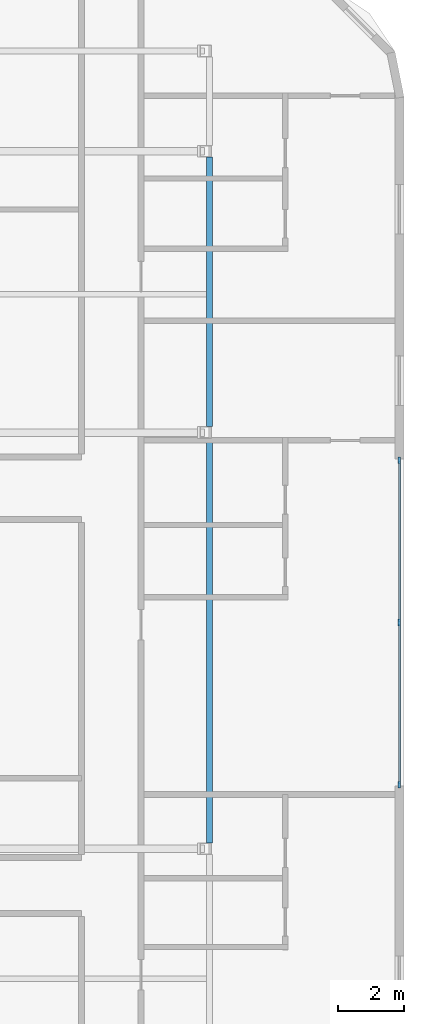
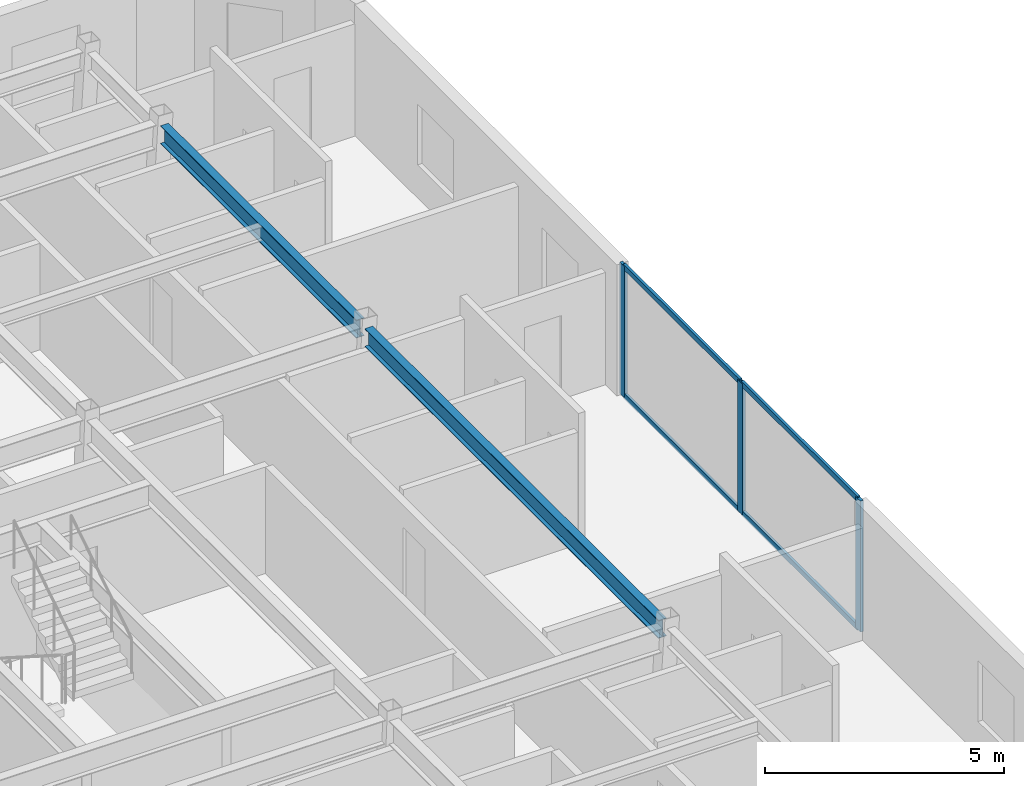
# One storey, part 2 of 9: 7 members, 2 beams, 1 element without a shape of its own.
"""IFC4 building model written with IfcOpenShell, lengths in metres."""

from ifc_helpers import new_model, si_unit, direction, frame, origin, origin_2d, place, context, subcontext, project, spatial, rectangle, i_section, extrude, material, layer, layer_set, material_profile, profile_set, type_object, element, aggregate, save


model = new_model("IFC4")

# Units and contexts
model_context = context("Model", 3, precision=1e-05, world=origin(), true_north=direction((0.0, 1.0)))
body_context = subcontext(model_context, "Body", "Model", "MODEL_VIEW")
ifc_project = project(units=[si_unit("LENGTHUNIT", "METRE"), si_unit("AREAUNIT", "SQUARE_METRE"), si_unit("VOLUMEUNIT", "CUBIC_METRE"), si_unit("PLANEANGLEUNIT", "RADIAN"), si_unit("MASSUNIT", "GRAM", prefix="KILO")], contexts=[model_context])

# Site, building, storey
site_placement = place(None, origin())
site = spatial("IfcSite", under=ifc_project, at=site_placement, CompositionType="ELEMENT")
building_placement = place(site_placement, origin())
building = spatial("IfcBuilding", under=site, at=building_placement, Name="Ochreholt Gables", CompositionType="ELEMENT")
storey_placement = place(building_placement, frame((0.0, 0.0, 169.800048828125)))
storey = spatial("IfcBuildingStorey", under=building, at=storey_placement, Name="L44", CompositionType="ELEMENT", Elevation=169.800048828125)

# Beams
ifc_material_1 = material(Name="Steel CSA G40.21 350W", Category="steel")
ifc_material_profile_1 = material_profile(ifc_material_1, i_section(OverallWidth=0.19189453125, OverallDepth=0.462890625, WebThickness=0.010498046875, FlangeThickness=0.017578125, at=origin_2d()), Name="W460X89")
ifc_profile_set_1 = profile_set([ifc_material_profile_1], Name="Steel CSA G40.21 350W")
beam_type = type_object("IfcBeamType", Name="BM-SP-W460A", PredefinedType="SPANDREL", material=ifc_profile_set_1)
beam_1_placement = place(storey_placement, frame((52.68505859375, 17.7275390625, 3.118408203125), z_axis=(0.0, 1.0, 0.0), x_axis=(-1.0, 0.0, 0.0)))
element("IfcBeam", 1, at=beam_1_placement, inside=storey, type_object=beam_type, Name="L44 Beam TBN-L44-EE-Y3Y4", PredefinedType="SPANDREL", context=body_context, shape_type="SweptSolid", body=[
    extrude(i_section(OverallWidth=0.19189453125, OverallDepth=0.462890625, WebThickness=0.010498046875, FlangeThickness=0.017578125, at=origin_2d()), origin(), (0.0, 0.0, 1.0), 12.294921875),
])
beam_2_placement = place(storey_placement, frame((52.68505859375, 30.377685546875, 3.118408203125), z_axis=(0.0, 1.0, 0.0), x_axis=(-1.0, 0.0, 0.0)))
element("IfcBeam", 2, at=beam_2_placement, inside=storey, type_object=beam_type, Name="L44 Beam TBN-L44-EE-Y4Y5", PredefinedType="SPANDREL", context=body_context, shape_type="SweptSolid", body=[
    extrude(i_section(OverallWidth=0.19189453125, OverallDepth=0.462890625, WebThickness=0.010498046875, FlangeThickness=0.017578125, at=origin_2d()), origin(), (0.0, 0.0, 1.0), 8.19482421875),
])

# Curtain wall, members
ifc_material_2 = material(Name="Unitised Aluminium and Triple Glazing", Category="aluminium")
ifc_layer = layer(ifc_material_2, 0.199951171875, Name="Unitised Aluminium and Triple Glazing")
ifc_layer_set = layer_set([ifc_layer], Name="Unitised Aluminium and Triple Glazing")
curtain_wall_type = type_object("IfcCurtainWallType", Name="CW-SYS4", PredefinedType="NOTDEFINED", material=ifc_layer_set)
curtain_wall_placement = place(storey_placement, origin())
curtain_wall = element("IfcCurtainWall", 3, at=curtain_wall_placement, inside=storey, type_object=curtain_wall_type, Name="L44 East Unitised Curtain Wall", PredefinedType="NOTDEFINED")
ifc_material_3 = material(Name="Anodized Aluminium 6063-T6", Category="aluminium")
ifc_material_profile_2 = material_profile(ifc_material_3, rectangle(XDim=0.074951171875, YDim=0.199951171875, at=origin_2d()), Name="CWM75X200")
ifc_profile_set_2 = profile_set([ifc_material_profile_2], Name="Anodized Aluminium 6063-T6")
member_type_1 = type_object("IfcMemberType", Name="CW-MUL-A", PredefinedType="MULLION", material=ifc_profile_set_2)
member_1_placement = place(storey_placement, frame((58.4599609375, 19.487548828125, 0.0), z_axis=(0.0, 0.0, 1.0), x_axis=(-1.0, 0.0, 0.0)))
member_1 = element("IfcMember", 4, at=member_1_placement, type_object=member_type_1, Name="CW-4 mullion 1", PredefinedType="MULLION", context=body_context, shape_type="SweptSolid", body=[
    extrude(rectangle(XDim=0.074951171875, YDim=0.199951171875, at=origin_2d()), origin(), (0.0, 0.0, 1.0), 3.349853515625),
])
member_2_placement = place(storey_placement, frame((58.4599609375, 24.425048828125, 0.0), z_axis=(0.0, 0.0, 1.0), x_axis=(-1.0, 0.0, 0.0)))
member_2 = element("IfcMember", 5, at=member_2_placement, type_object=member_type_1, Name="CW-4 mullion 2", PredefinedType="MULLION", context=body_context, shape_type="SweptSolid", body=[
    extrude(rectangle(XDim=0.074951171875, YDim=0.199951171875, at=origin_2d()), origin(), (0.0, 0.0, 1.0), 3.349853515625),
])
member_3_placement = place(storey_placement, frame((58.4599609375, 29.362548828125, 0.0), z_axis=(0.0, 0.0, 1.0), x_axis=(-1.0, 0.0, 0.0)))
member_3 = element("IfcMember", 6, at=member_3_placement, type_object=member_type_1, Name="CW-4 mullion 3", PredefinedType="MULLION", context=body_context, shape_type="SweptSolid", body=[
    extrude(rectangle(XDim=0.074951171875, YDim=0.199951171875, at=origin_2d()), origin(), (0.0, 0.0, 1.0), 3.349853515625),
])
ifc_material_profile_3 = material_profile(ifc_material_3, rectangle(XDim=0.06494140625, YDim=0.135009765625, at=origin_2d()), Name="CWT65X135")
ifc_profile_set_3 = profile_set([ifc_material_profile_3], Name="Anodized Aluminium 6063-T6")
member_type_2 = type_object("IfcMemberType", Name="CW-TRN-B", PredefinedType="USERDEFINED", material=ifc_profile_set_3)
member_4_placement = place(storey_placement, frame((58.4599609375, 19.52490234375, 0.032470703125), z_axis=(0.0, 1.0, 0.0), x_axis=(-1.0, 0.0, 0.0)))
member_4 = element("IfcMember", 7, at=member_4_placement, type_object=member_type_2, Name="CW-4 transom 1.1", ObjectType="TRANSOM", PredefinedType="USERDEFINED", context=body_context, shape_type="SweptSolid", body=[
    extrude(rectangle(XDim=0.06494140625, YDim=0.135009765625, at=origin_2d()), origin(), (0.0, 0.0, 1.0), 4.862548828125),
])
member_5_placement = place(storey_placement, frame((58.4599609375, 19.52490234375, 3.3173828125), z_axis=(0.0, 1.0, 0.0), x_axis=(-1.0, 0.0, 0.0)))
member_5 = element("IfcMember", 8, at=member_5_placement, type_object=member_type_2, Name="CW-4 transom 1.2", ObjectType="TRANSOM", PredefinedType="USERDEFINED", context=body_context, shape_type="SweptSolid", body=[
    extrude(rectangle(XDim=0.06494140625, YDim=0.135009765625, at=origin_2d()), origin(), (0.0, 0.0, 1.0), 4.862548828125),
])
member_6_placement = place(storey_placement, frame((58.4599609375, 24.46240234375, 0.032470703125), z_axis=(0.0, 1.0, 0.0), x_axis=(-1.0, 0.0, 0.0)))
member_6 = element("IfcMember", 9, at=member_6_placement, type_object=member_type_2, Name="CW-4 transom 2.1", ObjectType="TRANSOM", PredefinedType="USERDEFINED", context=body_context, shape_type="SweptSolid", body=[
    extrude(rectangle(XDim=0.06494140625, YDim=0.135009765625, at=origin_2d()), origin(), (0.0, 0.0, 1.0), 4.862548828125),
])
member_7_placement = place(storey_placement, frame((58.4599609375, 24.46240234375, 3.3173828125), z_axis=(0.0, 1.0, 0.0), x_axis=(-1.0, 0.0, 0.0)))
member_7 = element("IfcMember", 10, at=member_7_placement, type_object=member_type_2, Name="CW-4 transom 2.2", ObjectType="TRANSOM", PredefinedType="USERDEFINED", context=body_context, shape_type="SweptSolid", body=[
    extrude(rectangle(XDim=0.06494140625, YDim=0.135009765625, at=origin_2d()), origin(), (0.0, 0.0, 1.0), 4.862548828125),
])
aggregate(curtain_wall, [member_1, member_2, member_3, member_4, member_5, member_6, member_7])

save(model, "model.ifc")
